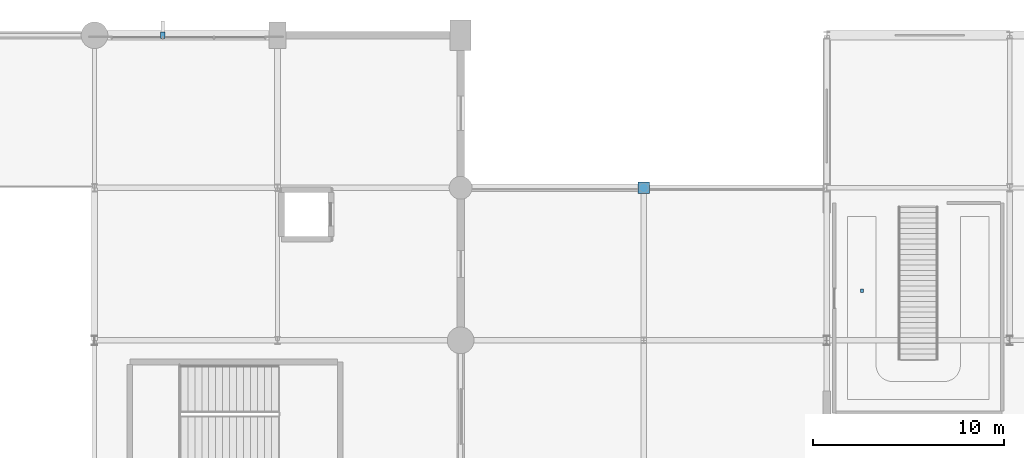
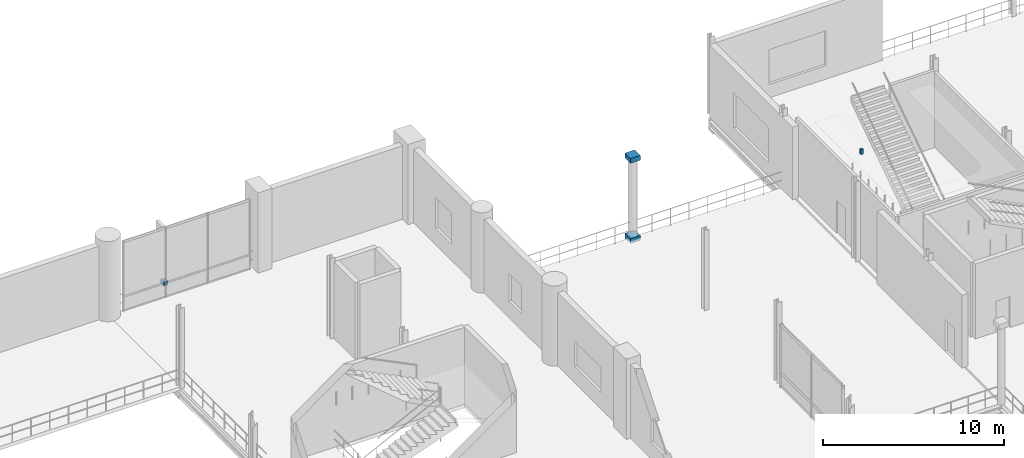
# One storey, part 100 of 129: 4 discrete accessories.
"""IFC4 building model written with IfcOpenShell, lengths in metres."""

from ifc_helpers import new_model, si_unit, direction, frame, origin, origin_2d, place, context, subcontext, project, spatial, rectangle, extrude, material, type_object, element, save


model = new_model("IFC4")

# Units and contexts
model_context = context("Model", 3, precision=1e-05, world=origin(), true_north=direction((0.0, 1.0)))
body_context = subcontext(model_context, "Body", "Model", "MODEL_VIEW")
ifc_project = project(units=[si_unit("LENGTHUNIT", "METRE"), si_unit("AREAUNIT", "SQUARE_METRE"), si_unit("VOLUMEUNIT", "CUBIC_METRE"), si_unit("PLANEANGLEUNIT", "RADIAN"), si_unit("MASSUNIT", "GRAM", prefix="KILO")], contexts=[model_context])

# Site, building, storey
site_placement = place(None, origin())
site = spatial("IfcSite", under=ifc_project, at=site_placement, CompositionType="ELEMENT")
building_placement = place(site_placement, origin())
building = spatial("IfcBuilding", under=site, at=building_placement, Name="Danafjord Basin Convention Centre", CompositionType="ELEMENT")
storey_placement = place(building_placement, frame((0.0, 0.0, 6.0)))
storey = spatial("IfcBuildingStorey", under=building, at=storey_placement, Name="L01", CompositionType="ELEMENT", Elevation=6.0)

# Discrete accessories
ifc_material_1 = material(Name="Stainless steel EN 1.4404", Category="steel")
discrete_accessory_type_1 = type_object("IfcDiscreteAccessoryType", Name="ACC-FIN-BRK", PredefinedType="BRACKET", material=ifc_material_1)
discrete_accessory_1_placement = place(storey_placement, frame((99.583251953125, 144.0, 0.830078125), z_axis=(0.0, 0.0, 1.0), x_axis=(1.0, 0.0, 0.0)))
element("IfcDiscreteAccessory", 1, at=discrete_accessory_1_placement, inside=storey, type_object=discrete_accessory_type_1, Name="Solar fin stainless-steel mounting bracket", PredefinedType="BRACKET", context=body_context, shape_type="SweptSolid", body=[
    extrude(rectangle(XDim=0.239990234375, YDim=0.360107421875, at=origin_2d()), origin(), (0.0, 0.0, 1.0), 0.239990234375),
])
discrete_accessory_2_placement = place(storey_placement, frame((136.2451171875, 130.60009765625, 4.85986328125), z_axis=(0.0, 0.0, 1.0), x_axis=(1.0, 0.0, 0.0)))
element("IfcDiscreteAccessory", 2, at=discrete_accessory_2_placement, inside=storey, type_object=discrete_accessory_type_1, Name="Suspended ceiling steel hanger assembly", PredefinedType="BRACKET", context=body_context, shape_type="SweptSolid", body=[
    extrude(rectangle(XDim=0.159912109375, YDim=0.159912109375, at=origin_2d()), origin(), (0.0, 0.0, 1.0), 0.330078125),
])
ifc_material_2 = material(Name="Steel S355", Category="steel")
discrete_accessory_type_2 = type_object("IfcDiscreteAccessoryType", Name="ACC-SF-HUB", PredefinedType="BRACKET", material=ifc_material_2)
for number, where, z_axis, x_axis, name in (
    (3, (124.800048828125, 136.0, -0.16015625), (0.0, 0.0, 1.0), (1.0, 0.0, 0.0), "Tubular steel column transition collar"),
    (4, (124.800048828125, 136.0, 5.23974609375), (0.0, 0.0, 1.0), (1.0, 0.0, 0.0), "Tubular steel column top cap plate"),
):
    element("IfcDiscreteAccessory", number, at=place(storey_placement, frame(where, z_axis=z_axis, x_axis=x_axis)), inside=storey, type_object=discrete_accessory_type_2, Name=name, PredefinedType="BRACKET", context=body_context, shape_type="SweptSolid", body=[
        extrude(rectangle(XDim=0.6201171875, YDim=0.6201171875, at=origin_2d()), origin(), (0.0, 0.0, 1.0), 0.320068359375),
    ])

save(model, "model.ifc")
